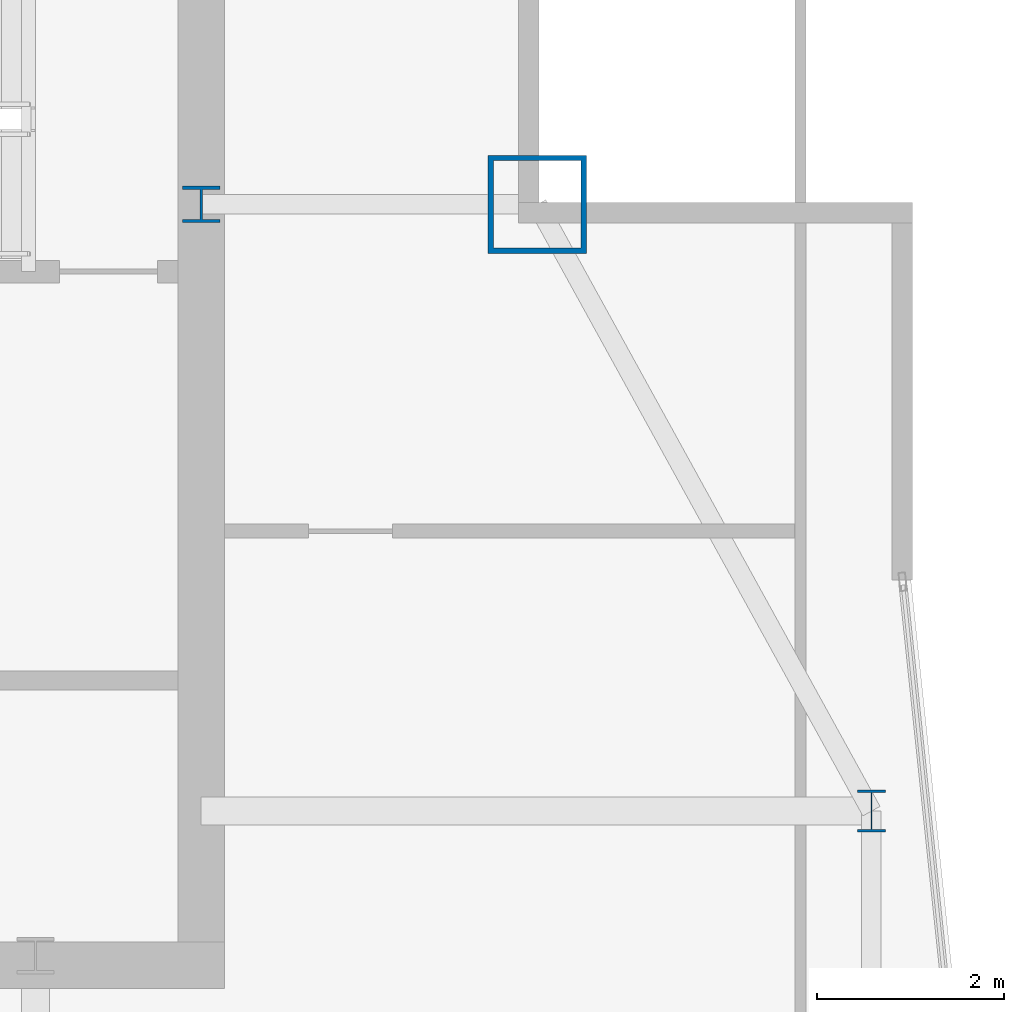
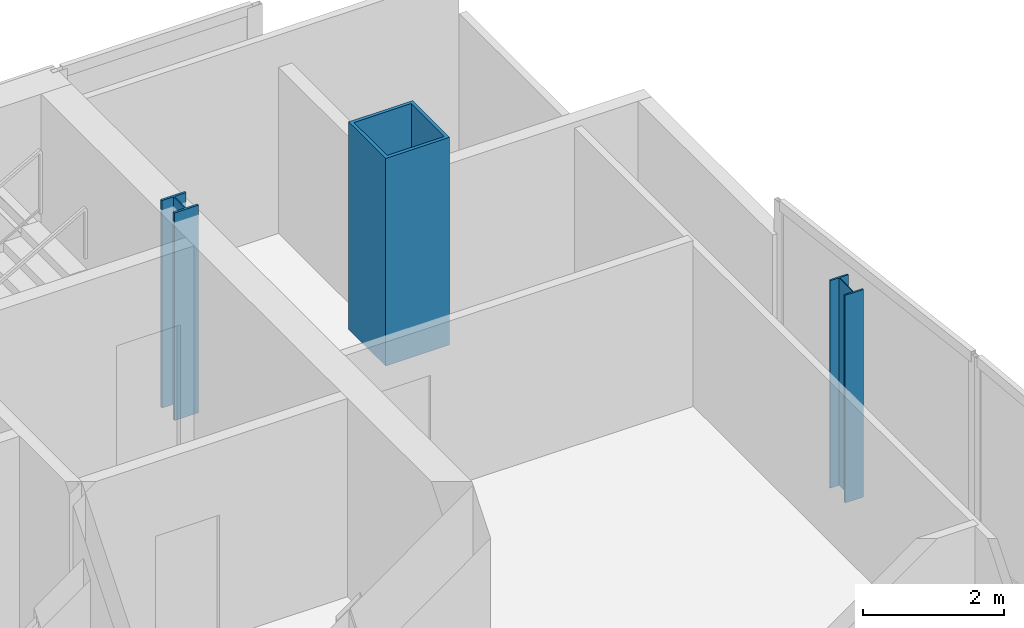
# One storey, part 4 of 30: 3 columns.
"""IFC4 building model written with IfcOpenShell, lengths in metres."""

from ifc_helpers import new_model, si_unit, direction, frame, origin, origin_2d, place, context, subcontext, project, spatial, hollow_rectangle, i_section, extrude, material, material_profile, profile_set, type_object, element, save


model = new_model("IFC4")

# Units and contexts
model_context = context("Model", 3, precision=1e-05, world=origin(), true_north=direction((0.0, 1.0)))
body_context = subcontext(model_context, "Body", "Model", "MODEL_VIEW")
ifc_project = project(units=[si_unit("LENGTHUNIT", "METRE"), si_unit("AREAUNIT", "SQUARE_METRE"), si_unit("VOLUMEUNIT", "CUBIC_METRE"), si_unit("PLANEANGLEUNIT", "RADIAN"), si_unit("MASSUNIT", "GRAM", prefix="KILO")], contexts=[model_context])

# Site, building, storey
site_placement = place(None, origin())
site = spatial("IfcSite", under=ifc_project, at=site_placement, CompositionType="ELEMENT")
building_placement = place(site_placement, origin())
building = spatial("IfcBuilding", under=site, at=building_placement, Name="Khoronbel Lancet Exchange", CompositionType="ELEMENT")
storey_placement = place(building_placement, frame((0.0, 0.0, 284.199951171875)))
storey = spatial("IfcBuildingStorey", under=building, at=storey_placement, Name="L73", CompositionType="ELEMENT", Elevation=284.199951171875)

# Columns
ifc_material_1 = material(Name="Steel S355", Category="steel")
ifc_material_profile_1 = material_profile(ifc_material_1, i_section(OverallWidth=0.39892578125, OverallDepth=0.39306640625, WebThickness=0.022705078125, FlangeThickness=0.03662109375, at=origin_2d()), Name="HD 400x287")
ifc_profile_set_1 = profile_set([ifc_material_profile_1], Name="Steel S355")
column_type_1 = type_object("IfcColumnType", Name="COL-IC4", PredefinedType="COLUMN", material=ifc_profile_set_1)
column_1_placement = place(storey_placement, frame((56.449951171875, 49.699951171875, 0.0), z_axis=(0.0, 0.0, 1.0), x_axis=(1.0, 0.0, 0.0)))
element("IfcColumn", 1, at=column_1_placement, inside=storey, type_object=column_type_1, Name="Core-flank plumb transfer column CFE L73", PredefinedType="COLUMN", context=body_context, shape_type="SweptSolid", body=[
    extrude(i_section(OverallWidth=0.39892578125, OverallDepth=0.39306640625, WebThickness=0.022705078125, FlangeThickness=0.03662109375, at=origin_2d()), origin(), (0.0, 0.0, 1.0), 3.60009765625),
])
ifc_material_profile_2 = material_profile(ifc_material_1, i_section(OverallWidth=0.300048828125, OverallDepth=0.449951171875, WebThickness=0.013916015625, FlangeThickness=0.02587890625, at=origin_2d()), Name="HEB 450")
ifc_profile_set_2 = profile_set([ifc_material_profile_2], Name="Steel S355")
column_type_2 = type_object("IfcColumnType", Name="COL-LC2", PredefinedType="COLUMN", material=ifc_profile_set_2)
column_2_placement = place(storey_placement, frame((63.6298828125, 43.199951171875, 0.0), z_axis=(0.0, 0.0, 1.0), x_axis=(1.0, 0.0, 0.0)))
element("IfcColumn", 2, at=column_2_placement, inside=storey, type_object=column_type_2, Name="Structural column EC-4 L73", PredefinedType="COLUMN", context=body_context, shape_type="SweptSolid", body=[
    extrude(i_section(OverallWidth=0.300048828125, OverallDepth=0.449951171875, WebThickness=0.013916015625, FlangeThickness=0.02587890625, at=origin_2d()), origin(), (0.0, 0.0, 1.0), 3.60009765625),
])
ifc_material_2 = material(Name="Steel S460", Category="steel")
ifc_material_profile_3 = material_profile(ifc_material_2, hollow_rectangle(XDim=1.050048828125, YDim=1.050048828125, WallThickness=0.054931640625, at=origin_2d()), Name="BOX 1050x1050x55")
ifc_profile_set_3 = profile_set([ifc_material_profile_3], Name="Steel S460")
column_type_3 = type_object("IfcColumnType", Name="COL-MC6", PredefinedType="COLUMN", material=ifc_profile_set_3)
column_3_placement = place(storey_placement, frame((60.050048828125, 49.699951171875, 0.0), z_axis=(0.0, 0.0, 1.0), x_axis=(1.0, 0.0, 0.0)))
element("IfcColumn", 3, at=column_3_placement, inside=storey, type_object=column_type_3, Name="Structural column MC-NE L73", PredefinedType="COLUMN", context=body_context, shape_type="SweptSolid", body=[
    extrude(hollow_rectangle(XDim=1.050048828125, YDim=1.050048828125, WallThickness=0.054931640625, at=origin_2d()), origin(), (0.0, 0.0, 1.0), 3.60009765625),
])

save(model, "model.ifc")
